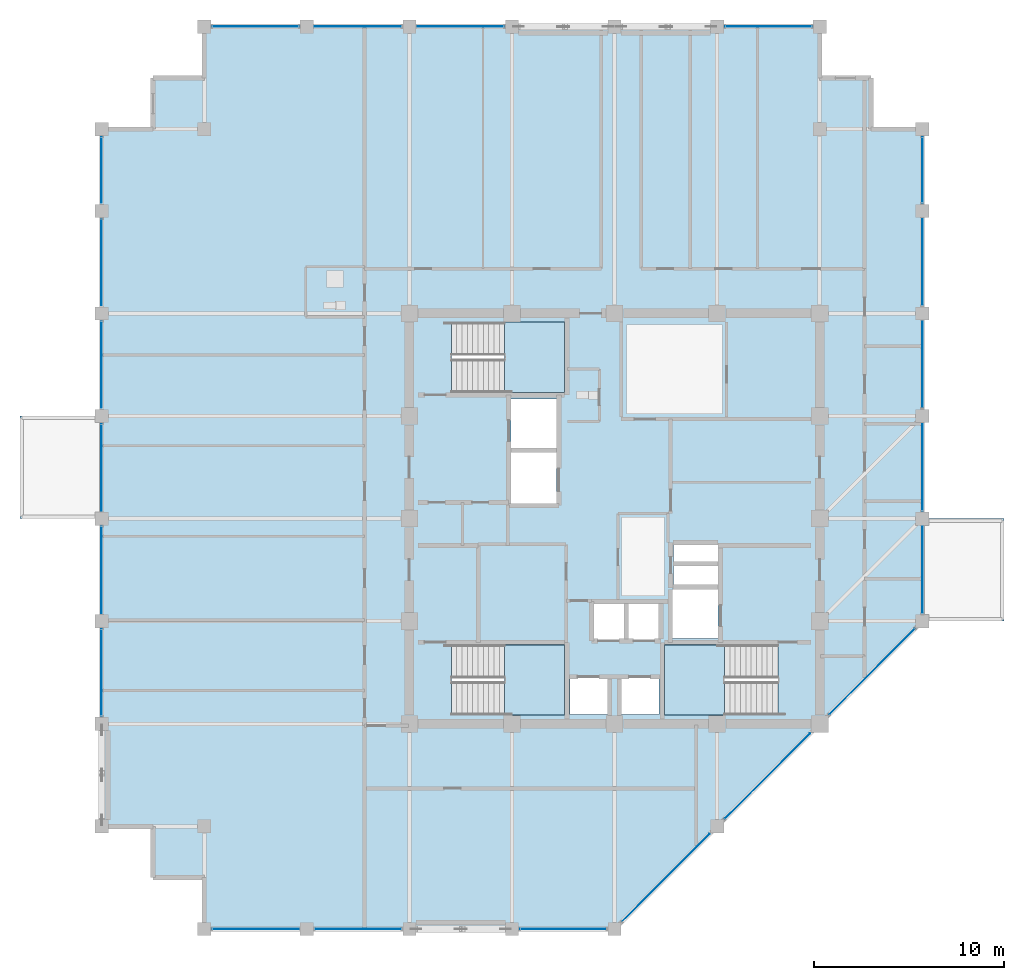
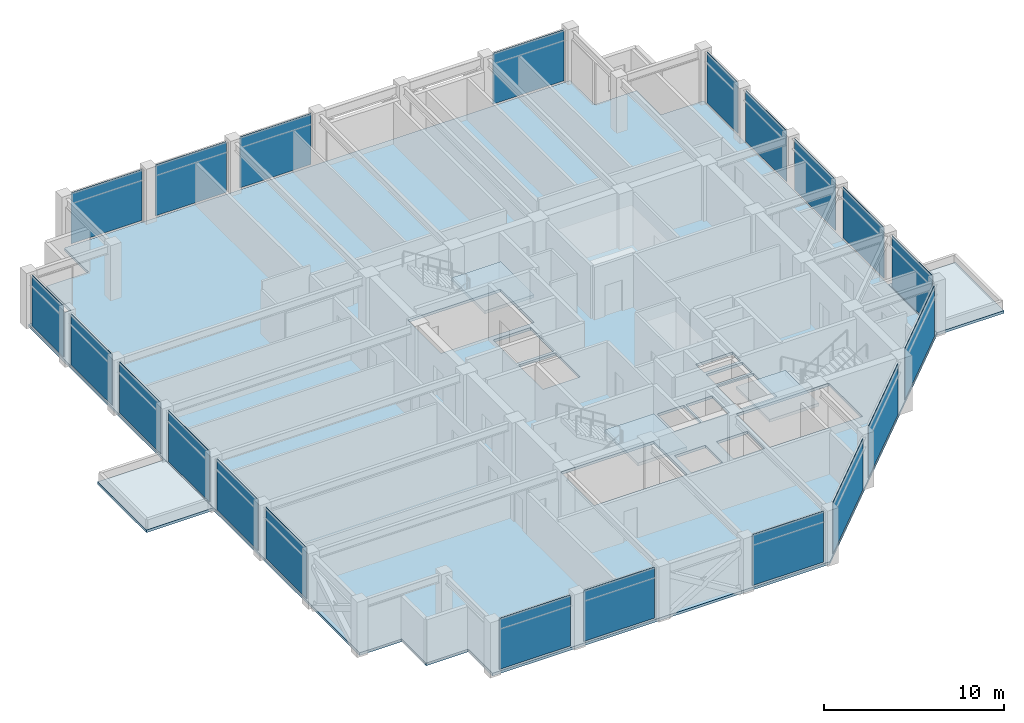
# One storey, part 21 of 29: 21 plates, 6 slabs, 10 elements without a shape of their own.
"""IFC4 building model written with IfcOpenShell, lengths in metres."""

from ifc_helpers import new_model, si_unit, direction, frame, frame_2d, origin, place, context, subcontext, project, spatial, polyline, rectangle, outline, extrude, material, layer, layer_set, type_object, element, aggregate, save


model = new_model("IFC4")

# Units and contexts
model_context = context("Model", 3, precision=1e-05, world=origin(), true_north=direction((0.0, 1.0)))
body_context = subcontext(model_context, "Body", "Model", "MODEL_VIEW")
ifc_project = project(units=[si_unit("LENGTHUNIT", "METRE"), si_unit("AREAUNIT", "SQUARE_METRE"), si_unit("VOLUMEUNIT", "CUBIC_METRE"), si_unit("PLANEANGLEUNIT", "RADIAN"), si_unit("MASSUNIT", "GRAM", prefix="KILO")], contexts=[model_context])

# Site, building, storey
site_placement = place(None, origin())
site = spatial("IfcSite", under=ifc_project, at=site_placement, CompositionType="ELEMENT")
building_placement = place(site_placement, origin())
building = spatial("IfcBuilding", under=site, at=building_placement, Name="Surkhivell Harbour Commons", CompositionType="ELEMENT")
storey_placement = place(building_placement, frame((0.0, 0.0, 326.25)))
storey = spatial("IfcBuildingStorey", under=building, at=storey_placement, Name="L85", CompositionType="ELEMENT", Elevation=326.25)

# Curtain wall, plates
ifc_material_1 = material(Name="Anodised pale-metal aluminium and insulated glazing", Category="aluminium")
ifc_layer_1 = layer(ifc_material_1, 0.175048828125)
ifc_layer_set_1 = layer_set([ifc_layer_1], Name="Anodised pale-metal aluminium and insulated glazing")
curtain_wall_type = type_object("IfcCurtainWallType", Name="CW-SYS-Z4", PredefinedType="NOTDEFINED", material=ifc_layer_set_1)
curtain_wall_1_placement = place(storey_placement, origin())
curtain_wall_1 = element("IfcCurtainWall", 1, at=curtain_wall_1_placement, inside=storey, type_object=curtain_wall_type, Name="L85 Curtain Wall CW-L85-E00S1", PredefinedType="NOTDEFINED")
ifc_material_2 = material(Name="Double-silver low-E laminated vision glass", Category="glass")
ifc_layer_2 = layer(ifc_material_2, 0.031982421875)
ifc_layer_set_2 = layer_set([ifc_layer_2], Name="Double-silver low-E laminated vision glass")
plate_type = type_object("IfcPlateType", Name="CWP-GLZ-32", PredefinedType="CURTAIN_PANEL", material=ifc_layer_set_2)
plate_1_placement = place(storey_placement, frame((-21.173095703125, -21.60009765625, 0.1298828125), z_axis=(0.0, 0.0, 1.0), x_axis=(1.0, 0.0, 0.0)))
plate_1 = element("IfcPlate", 2, at=plate_1_placement, type_object=plate_type, Name="CW-Z4 panel 1.1", PredefinedType="CURTAIN_PANEL", context=body_context, shape_type="SweptSolid", body=[
    extrude(rectangle(XDim=4.546142578125, YDim=0.031982421875, at=frame_2d((2.27294921875, 0.0))), origin(), (0.0, 0.0, 1.0), 3.440185546875),
])
plate_2_placement = place(storey_placement, frame((-15.77294921875, -21.60009765625, 0.1298828125), z_axis=(0.0, 0.0, 1.0), x_axis=(1.0, 0.0, 0.0)))
plate_2 = element("IfcPlate", 3, at=plate_2_placement, type_object=plate_type, Name="CW-Z4 panel 2.1", PredefinedType="CURTAIN_PANEL", context=body_context, shape_type="SweptSolid", body=[
    extrude(rectangle(XDim=4.5458984375, YDim=0.031982421875, at=frame_2d((2.27294921875, 0.0))), origin(), (0.0, 0.0, 1.0), 3.440185546875),
])
aggregate(curtain_wall_1, [plate_1, plate_2])

# Curtain wall, plate
curtain_wall_2_placement = place(storey_placement, origin())
curtain_wall_2 = element("IfcCurtainWall", 4, at=curtain_wall_2_placement, inside=storey, type_object=curtain_wall_type, Name="L85 Curtain Wall CW-L85-E00S2", PredefinedType="NOTDEFINED")
plate_3_placement = place(storey_placement, frame((-4.972900390625, -21.60009765625, 0.1298828125), z_axis=(0.0, 0.0, 1.0), x_axis=(1.0, 0.0, 0.0)))
plate_3 = element("IfcPlate", 5, at=plate_3_placement, type_object=plate_type, Name="CW-Z4 panel 1.1", PredefinedType="CURTAIN_PANEL", context=body_context, shape_type="SweptSolid", body=[
    extrude(rectangle(XDim=4.5458984375, YDim=0.031982421875, at=frame_2d((2.27294921875, 0.0))), origin(), (0.0, 0.0, 1.0), 3.440185546875),
])
aggregate(curtain_wall_2, [plate_3])

# Curtain wall, plates
curtain_wall_3_placement = place(storey_placement, origin())
curtain_wall_3 = element("IfcCurtainWall", 6, at=curtain_wall_3_placement, inside=storey, type_object=curtain_wall_type, Name="L85 Curtain Wall CW-L85-E01", PredefinedType="NOTDEFINED")
plate_4_placement = place(storey_placement, frame((0.404541015625, -21.1953125, 0.1298828125), z_axis=(0.0, 0.0, 1.0), x_axis=(0.707125583467, 0.707087978406, 0.0)))
plate_4 = element("IfcPlate", 7, at=plate_4_placement, type_object=plate_type, Name="CW-Z4 panel 1.1", PredefinedType="CURTAIN_PANEL", context=body_context, shape_type="SweptSolid", body=[
    extrude(rectangle(XDim=6.4921875, YDim=0.031982421875, at=frame_2d((3.24609375, 0.0))), origin(), (0.0, 0.0, 1.0), 3.440185546875),
])
plate_5_placement = place(storey_placement, frame((5.8046875, -15.79541015625, 0.1298828125), z_axis=(0.0, 0.0, 1.0), x_axis=(0.707106781187, 0.707106781187, 0.0)))
plate_5 = element("IfcPlate", 8, at=plate_5_placement, type_object=plate_type, Name="CW-Z4 panel 2.1", PredefinedType="CURTAIN_PANEL", context=body_context, shape_type="SweptSolid", body=[
    extrude(rectangle(XDim=6.350830078125, YDim=0.031982421875, at=frame_2d((3.17529296875, 0.0))), origin(), (0.0, 0.0, 1.0), 3.440185546875),
])
plate_6_placement = place(storey_placement, frame((11.3046875, -10.29541015625, 0.1298828125), z_axis=(0.0, 0.0, 1.0), x_axis=(0.707106781187, 0.707106781187, 0.0)))
plate_6 = element("IfcPlate", 9, at=plate_6_placement, type_object=plate_type, Name="CW-Z4 panel 3.1", PredefinedType="CURTAIN_PANEL", context=body_context, shape_type="SweptSolid", body=[
    extrude(rectangle(XDim=6.350830078125, YDim=0.031982421875, at=frame_2d((3.17529296875, 0.0))), origin(), (0.0, 0.0, 1.0), 3.440185546875),
])
aggregate(curtain_wall_3, [plate_4, plate_5, plate_6])

curtain_wall_4_placement = place(storey_placement, origin())
curtain_wall_4 = element("IfcCurtainWall", 10, at=curtain_wall_4_placement, inside=storey, type_object=curtain_wall_type, Name="L85 Curtain Wall CW-L85-E02", PredefinedType="NOTDEFINED")
plate_7_placement = place(storey_placement, frame((16.199951171875, -4.972900390625, 0.1298828125), z_axis=(0.0, 0.0, 1.0), x_axis=(0.0, 1.0, 0.0)))
plate_7 = element("IfcPlate", 11, at=plate_7_placement, type_object=plate_type, Name="CW-Z4 panel 1.1", PredefinedType="CURTAIN_PANEL", context=body_context, shape_type="SweptSolid", body=[
    extrude(rectangle(XDim=4.5458984375, YDim=0.031982421875, at=frame_2d((2.27294921875, 0.0))), origin(), (0.0, 0.0, 1.0), 3.440185546875),
])
plate_8_placement = place(storey_placement, frame((16.199951171875, 0.427001953125, 0.1298828125), z_axis=(0.0, 0.0, 1.0), x_axis=(0.0, 1.0, 0.0)))
plate_8 = element("IfcPlate", 12, at=plate_8_placement, type_object=plate_type, Name="CW-Z4 panel 2.1", PredefinedType="CURTAIN_PANEL", context=body_context, shape_type="SweptSolid", body=[
    extrude(rectangle(XDim=4.5458984375, YDim=0.031982421875, at=frame_2d((2.27294921875, 0.0))), origin(), (0.0, 0.0, 1.0), 3.440185546875),
])
plate_9_placement = place(storey_placement, frame((16.199951171875, 5.826904296875, 0.1298828125), z_axis=(0.0, 0.0, 1.0), x_axis=(0.0, 1.0, 0.0)))
plate_9 = element("IfcPlate", 13, at=plate_9_placement, type_object=plate_type, Name="CW-Z4 panel 3.1", PredefinedType="CURTAIN_PANEL", context=body_context, shape_type="SweptSolid", body=[
    extrude(rectangle(XDim=4.546142578125, YDim=0.031982421875, at=frame_2d((2.27294921875, 0.0))), origin(), (0.0, 0.0, 1.0), 3.440185546875),
])
plate_10_placement = place(storey_placement, frame((16.199951171875, 11.22705078125, 0.1298828125), z_axis=(0.0, 0.0, 1.0), x_axis=(0.0, 1.0, 0.0)))
plate_10 = element("IfcPlate", 14, at=plate_10_placement, type_object=plate_type, Name="CW-Z4 panel 4.1", PredefinedType="CURTAIN_PANEL", context=body_context, shape_type="SweptSolid", body=[
    extrude(rectangle(XDim=4.5458984375, YDim=0.031982421875, at=frame_2d((2.27294921875, 0.0))), origin(), (0.0, 0.0, 1.0), 3.440185546875),
])
plate_11_placement = place(storey_placement, frame((16.199951171875, 16.626953125, 0.1298828125), z_axis=(0.0, 0.0, 1.0), x_axis=(0.0, 1.0, 0.0)))
plate_11 = element("IfcPlate", 15, at=plate_11_placement, type_object=plate_type, Name="CW-Z4 panel 5.1", PredefinedType="CURTAIN_PANEL", context=body_context, shape_type="SweptSolid", body=[
    extrude(rectangle(XDim=3.446044921875, YDim=0.031982421875, at=frame_2d((1.72314453125, 0.0))), origin(), (0.0, 0.0, 1.0), 3.440185546875),
])
aggregate(curtain_wall_4, [plate_7, plate_8, plate_9, plate_10, plate_11])

# Curtain wall, plate
curtain_wall_5_placement = place(storey_placement, origin())
curtain_wall_5 = element("IfcCurtainWall", 16, at=curtain_wall_5_placement, inside=storey, type_object=curtain_wall_type, Name="L85 Curtain Wall CW-L85-E07S1", PredefinedType="NOTDEFINED")
plate_12_placement = place(storey_placement, frame((10.373046875, 25.89990234375, 0.1298828125), z_axis=(0.0, 0.0, 1.0), x_axis=(-1.0, 0.0, 0.0)))
plate_12 = element("IfcPlate", 17, at=plate_12_placement, type_object=plate_type, Name="CW-Z4 panel 1.1", PredefinedType="CURTAIN_PANEL", context=body_context, shape_type="SweptSolid", body=[
    extrude(rectangle(XDim=4.546142578125, YDim=0.031982421875, at=frame_2d((2.27294921875, 0.0))), origin(), (0.0, 0.0, 1.0), 3.440185546875),
])
aggregate(curtain_wall_5, [plate_12])

# Curtain wall, plates
curtain_wall_6_placement = place(storey_placement, origin())
curtain_wall_6 = element("IfcCurtainWall", 18, at=curtain_wall_6_placement, inside=storey, type_object=curtain_wall_type, Name="L85 Curtain Wall CW-L85-E07S2", PredefinedType="NOTDEFINED")
plate_13_placement = place(storey_placement, frame((-5.826904296875, 25.89990234375, 0.1298828125), z_axis=(0.0, 0.0, 1.0), x_axis=(-1.0, 0.0, 0.0)))
plate_13 = element("IfcPlate", 19, at=plate_13_placement, type_object=plate_type, Name="CW-Z4 panel 1.1", PredefinedType="CURTAIN_PANEL", context=body_context, shape_type="SweptSolid", body=[
    extrude(rectangle(XDim=4.546142578125, YDim=0.031982421875, at=frame_2d((2.27294921875, 0.0))), origin(), (0.0, 0.0, 1.0), 3.440185546875),
])
plate_14_placement = place(storey_placement, frame((-11.22705078125, 25.89990234375, 0.1298828125), z_axis=(0.0, 0.0, 1.0), x_axis=(-1.0, 0.0, 0.0)))
plate_14 = element("IfcPlate", 20, at=plate_14_placement, type_object=plate_type, Name="CW-Z4 panel 2.1", PredefinedType="CURTAIN_PANEL", context=body_context, shape_type="SweptSolid", body=[
    extrude(rectangle(XDim=4.5458984375, YDim=0.031982421875, at=frame_2d((2.27294921875, 0.0))), origin(), (0.0, 0.0, 1.0), 3.440185546875),
])
plate_15_placement = place(storey_placement, frame((-16.626953125, 25.89990234375, 0.1298828125), z_axis=(0.0, 0.0, 1.0), x_axis=(-1.0, 0.0, 0.0)))
plate_15 = element("IfcPlate", 21, at=plate_15_placement, type_object=plate_type, Name="CW-Z4 panel 3.1", PredefinedType="CURTAIN_PANEL", context=body_context, shape_type="SweptSolid", body=[
    extrude(rectangle(XDim=4.546142578125, YDim=0.031982421875, at=frame_2d((2.27294921875, 0.0))), origin(), (0.0, 0.0, 1.0), 3.440185546875),
])
aggregate(curtain_wall_6, [plate_13, plate_14, plate_15])

curtain_wall_7_placement = place(storey_placement, origin())
curtain_wall_7 = element("IfcCurtainWall", 22, at=curtain_wall_7_placement, inside=storey, type_object=curtain_wall_type, Name="L85 Curtain Wall CW-L85-E12S1", PredefinedType="NOTDEFINED")
plate_16_placement = place(storey_placement, frame((-27.0, 20.072998046875, 0.1298828125), z_axis=(0.0, 0.0, 1.0), x_axis=(0.0, -1.0, 0.0)))
plate_16 = element("IfcPlate", 23, at=plate_16_placement, type_object=plate_type, Name="CW-Z4 panel 1.1", PredefinedType="CURTAIN_PANEL", context=body_context, shape_type="SweptSolid", body=[
    extrude(rectangle(XDim=3.446044921875, YDim=0.031982421875, at=frame_2d((1.72314453125, 0.0))), origin(), (0.0, 0.0, 1.0), 3.440185546875),
])
plate_17_placement = place(storey_placement, frame((-27.0, 15.77294921875, 0.1298828125), z_axis=(0.0, 0.0, 1.0), x_axis=(0.0, -1.0, 0.0)))
plate_17 = element("IfcPlate", 24, at=plate_17_placement, type_object=plate_type, Name="CW-Z4 panel 2.1", PredefinedType="CURTAIN_PANEL", context=body_context, shape_type="SweptSolid", body=[
    extrude(rectangle(XDim=4.5458984375, YDim=0.031982421875, at=frame_2d((2.27294921875, 0.0))), origin(), (0.0, 0.0, 1.0), 3.440185546875),
])
plate_18_placement = place(storey_placement, frame((-27.0, 10.373046875, 0.1298828125), z_axis=(0.0, 0.0, 1.0), x_axis=(0.0, -1.0, 0.0)))
plate_18 = element("IfcPlate", 25, at=plate_18_placement, type_object=plate_type, Name="CW-Z4 panel 3.1", PredefinedType="CURTAIN_PANEL", context=body_context, shape_type="SweptSolid", body=[
    extrude(rectangle(XDim=4.546142578125, YDim=0.031982421875, at=frame_2d((2.27294921875, 0.0))), origin(), (0.0, 0.0, 1.0), 3.440185546875),
])
plate_19_placement = place(storey_placement, frame((-27.0, 4.972900390625, 0.1298828125), z_axis=(0.0, 0.0, 1.0), x_axis=(0.0, -1.0, 0.0)))
plate_19 = element("IfcPlate", 26, at=plate_19_placement, type_object=plate_type, Name="CW-Z4 panel 4.1", PredefinedType="CURTAIN_PANEL", context=body_context, shape_type="SweptSolid", body=[
    extrude(rectangle(XDim=4.5458984375, YDim=0.031982421875, at=frame_2d((2.27294921875, 0.0))), origin(), (0.0, 0.0, 1.0), 3.440185546875),
])
plate_20_placement = place(storey_placement, frame((-27.0, -0.427001953125, 0.1298828125), z_axis=(0.0, 0.0, 1.0), x_axis=(0.0, -1.0, 0.0)))
plate_20 = element("IfcPlate", 27, at=plate_20_placement, type_object=plate_type, Name="CW-Z4 panel 5.1", PredefinedType="CURTAIN_PANEL", context=body_context, shape_type="SweptSolid", body=[
    extrude(rectangle(XDim=4.5458984375, YDim=0.031982421875, at=frame_2d((2.27294921875, 0.0))), origin(), (0.0, 0.0, 1.0), 3.440185546875),
])
plate_21_placement = place(storey_placement, frame((-27.0, -5.826904296875, 0.1298828125), z_axis=(0.0, 0.0, 1.0), x_axis=(0.0, -1.0, 0.0)))
plate_21 = element("IfcPlate", 28, at=plate_21_placement, type_object=plate_type, Name="CW-Z4 panel 6.1", PredefinedType="CURTAIN_PANEL", context=body_context, shape_type="SweptSolid", body=[
    extrude(rectangle(XDim=4.546142578125, YDim=0.031982421875, at=frame_2d((2.27294921875, 0.0))), origin(), (0.0, 0.0, 1.0), 3.440185546875),
])
aggregate(curtain_wall_7, [plate_16, plate_17, plate_18, plate_19, plate_20, plate_21])

# Slabs
ifc_material_3 = material(Name="Concrete C45/55", Category="concrete")
ifc_layer_3 = layer(ifc_material_3, 0.179931640625)
ifc_layer_set_3 = layer_set([ifc_layer_3], Name="Concrete C45/55")
slab_type_1 = type_object("IfcSlabType", Name="SLB-BOXRF-180", PredefinedType="ROOF", material=ifc_layer_set_3)
slab_1_placement = place(storey_placement, frame((0.0, 0.0, -0.179931640625)))
element("IfcSlab", 29, at=slab_1_placement, inside=storey, type_object=slab_type_1, Name="L85 Closed Box-Cluster Roof Slab 1", PredefinedType="ROOF", context=body_context, shape_type="SweptSolid", body=[
    extrude(outline(polyline([(20.5, 0.0), (16.219970703125, 0.0), (16.219970703125, -5.39990234375), (20.5, -5.39990234375), (20.5, 0.0)])), origin(), (0.0, 0.0, 1.0), 0.179931640625),
])
slab_2_placement = place(storey_placement, frame((0.0, 0.0, -0.179931640625)))
element("IfcSlab", 30, at=slab_2_placement, inside=storey, type_object=slab_type_1, Name="L85 Closed Box-Cluster Roof Slab 2", PredefinedType="ROOF", context=body_context, shape_type="SweptSolid", body=[
    extrude(outline(polyline([(-31.300048828125, 0.0), (-27.02001953125, 0.0), (-27.02001953125, 5.39990234375), (-31.300048828125, 5.39990234375), (-31.300048828125, 0.0)])), origin(), (0.0, 0.0, 1.0), 0.179931640625),
])

# Stair, slab
ifc_material_4 = material(Name="Precast concrete C45/55", Category="concrete")
stair_type = type_object("IfcStairType", Name="STR-DL-375", PredefinedType="HALF_TURN_STAIR", material=ifc_material_4)
stair_1_placement = place(storey_placement, origin())
stair_1 = element("IfcStair", 31, at=stair_1_placement, inside=storey, type_object=stair_type, Name="L85 Core Exit Stair ST1", PredefinedType="HALF_TURN_STAIR")
ifc_material_5 = material(Name="Reinforced concrete C45/55", Category="concrete")
ifc_layer_4 = layer(ifc_material_5, 0.199951171875)
ifc_layer_set_4 = layer_set([ifc_layer_4], Name="Reinforced concrete C45/55")
slab_type_2 = type_object("IfcSlabType", Name="SLB-ST-LND200", PredefinedType="LANDING", material=ifc_layer_set_4)
slab_3_placement = place(storey_placement, frame((0.0, 0.0, 1.675048828125)))
slab_3 = element("IfcSlab", 32, at=slab_3_placement, type_object=slab_type_2, Name="ST1 landing 1", PredefinedType="LANDING", context=body_context, shape_type="SweptSolid", body=[
    extrude(outline(polyline([(-5.7900390625, 6.639892578125), (-2.639892578125, 6.639892578125), (-2.639892578125, 10.340087890625), (-5.7900390625, 10.340087890625), (-5.7900390625, 6.639892578125)])), origin(), (0.0, 0.0, 1.0), 0.199951171875),
])
aggregate(stair_1, [slab_3])

stair_2_placement = place(storey_placement, origin())
stair_2 = element("IfcStair", 33, at=stair_2_placement, inside=storey, type_object=stair_type, Name="L85 Core Exit Stair ST2", PredefinedType="HALF_TURN_STAIR")
slab_4_placement = place(storey_placement, frame((0.0, 0.0, 1.675048828125)))
slab_4 = element("IfcSlab", 34, at=slab_4_placement, type_object=slab_type_2, Name="ST2 landing 1", PredefinedType="LANDING", context=body_context, shape_type="SweptSolid", body=[
    extrude(outline(polyline([(5.7900390625, -6.639892578125), (2.639892578125, -6.639892578125), (2.639892578125, -10.340087890625), (5.7900390625, -10.340087890625), (5.7900390625, -6.639892578125)])), origin(), (0.0, 0.0, 1.0), 0.199951171875),
])
aggregate(stair_2, [slab_4])

stair_3_placement = place(storey_placement, origin())
stair_3 = element("IfcStair", 35, at=stair_3_placement, inside=storey, type_object=stair_type, Name="L85 Core Exit Stair ST3", PredefinedType="HALF_TURN_STAIR")
slab_5_placement = place(storey_placement, frame((0.0, 0.0, 1.675048828125)))
slab_5 = element("IfcSlab", 36, at=slab_5_placement, type_object=slab_type_2, Name="ST3 landing 1", PredefinedType="LANDING", context=body_context, shape_type="SweptSolid", body=[
    extrude(outline(polyline([(-5.7900390625, -10.340087890625), (-2.639892578125, -10.340087890625), (-2.639892578125, -6.639892578125), (-5.7900390625, -6.639892578125), (-5.7900390625, -10.340087890625)])), origin(), (0.0, 0.0, 1.0), 0.199951171875),
])
aggregate(stair_3, [slab_5])

# Slab
ifc_layer_5 = layer(ifc_material_3, 0.179931640625)
ifc_layer_set_5 = layer_set([ifc_layer_5], Name="Concrete C45/55")
slab_type_3 = type_object("IfcSlabType", Name="SLB-TYP-180", PredefinedType="FLOOR", material=ifc_layer_set_5)
slab_6_placement = place(storey_placement, frame((0.0, 0.0, -0.179931640625)))
element("IfcSlab", 37, at=slab_6_placement, inside=storey, type_object=slab_type_3, Name="L85 Structural Floor Slab", PredefinedType="FLOOR", context=body_context, shape_type="SweptSolid", body=[
    extrude(outline(polyline([(-21.60009765625, -21.60009765625), (0.0, -21.60009765625), (16.199951171875, -5.39990234375), (16.199951171875, 20.5), (13.5, 20.5), (13.5, 23.199951171875), (10.800048828125, 23.199951171875), (10.800048828125, 25.89990234375), (-21.60009765625, 25.89990234375), (-21.60009765625, 23.199951171875), (-24.300048828125, 23.199951171875), (-24.300048828125, 20.5), (-27.0, 20.5), (-27.0, -16.199951171875), (-24.300048828125, -16.199951171875), (-24.300048828125, -18.89990234375), (-21.60009765625, -18.89990234375), (-21.60009765625, -21.60009765625)]), holes=[polyline([(-8.590087890625, 6.639892578125), (-2.639892578125, 6.639892578125), (-2.639892578125, 10.340087890625), (-8.590087890625, 10.340087890625), (-8.590087890625, 6.639892578125)]), polyline([(8.590087890625, -6.639892578125), (2.639892578125, -6.639892578125), (2.639892578125, -10.340087890625), (8.590087890625, -10.340087890625), (8.590087890625, -6.639892578125)]), polyline([(-8.590087890625, -10.340087890625), (-2.639892578125, -10.340087890625), (-2.639892578125, -6.639892578125), (-8.590087890625, -6.639892578125), (-8.590087890625, -10.340087890625)]), polyline([(-1.14990234375, -6.35009765625), (0.550048828125, -6.35009765625), (0.550048828125, -4.449951171875), (-1.14990234375, -4.449951171875), (-1.14990234375, -6.35009765625)]), polyline([(0.679931640625, -6.35009765625), (2.3798828125, -6.35009765625), (2.3798828125, -4.449951171875), (0.679931640625, -4.449951171875), (0.679931640625, -6.35009765625)]), polyline([(-2.35009765625, -10.300048828125), (-0.35009765625, -10.300048828125), (-0.35009765625, -8.39990234375), (-2.35009765625, -8.39990234375), (-2.35009765625, -10.300048828125)]), polyline([(0.35009765625, -10.300048828125), (2.35009765625, -10.300048828125), (2.35009765625, -8.39990234375), (0.35009765625, -8.39990234375), (0.35009765625, -10.300048828125)]), polyline([(-5.449951171875, 3.699951171875), (-3.050048828125, 3.699951171875), (-3.050048828125, 6.300048828125), (-5.449951171875, 6.300048828125), (-5.449951171875, 3.699951171875)]), polyline([(3.050048828125, -6.300048828125), (5.449951171875, -6.300048828125), (5.449951171875, -3.699951171875), (3.050048828125, -3.699951171875), (3.050048828125, -6.300048828125)]), polyline([(-5.449951171875, 0.800048828125), (-3.050048828125, 0.800048828125), (-3.050048828125, 3.5), (-5.449951171875, 3.5), (-5.449951171875, 0.800048828125)]), polyline([(3.10009765625, -3.550048828125), (5.449951171875, -3.550048828125), (5.449951171875, -2.47998046875), (3.10009765625, -2.47998046875), (3.10009765625, -3.550048828125)]), polyline([(3.10009765625, -2.280029296875), (5.449951171875, -2.280029296875), (5.449951171875, -1.35009765625), (3.10009765625, -1.35009765625), (3.10009765625, -2.280029296875)])]), origin(), (0.0, 0.0, 1.0), 0.179931640625),
])

save(model, "model.ifc")
